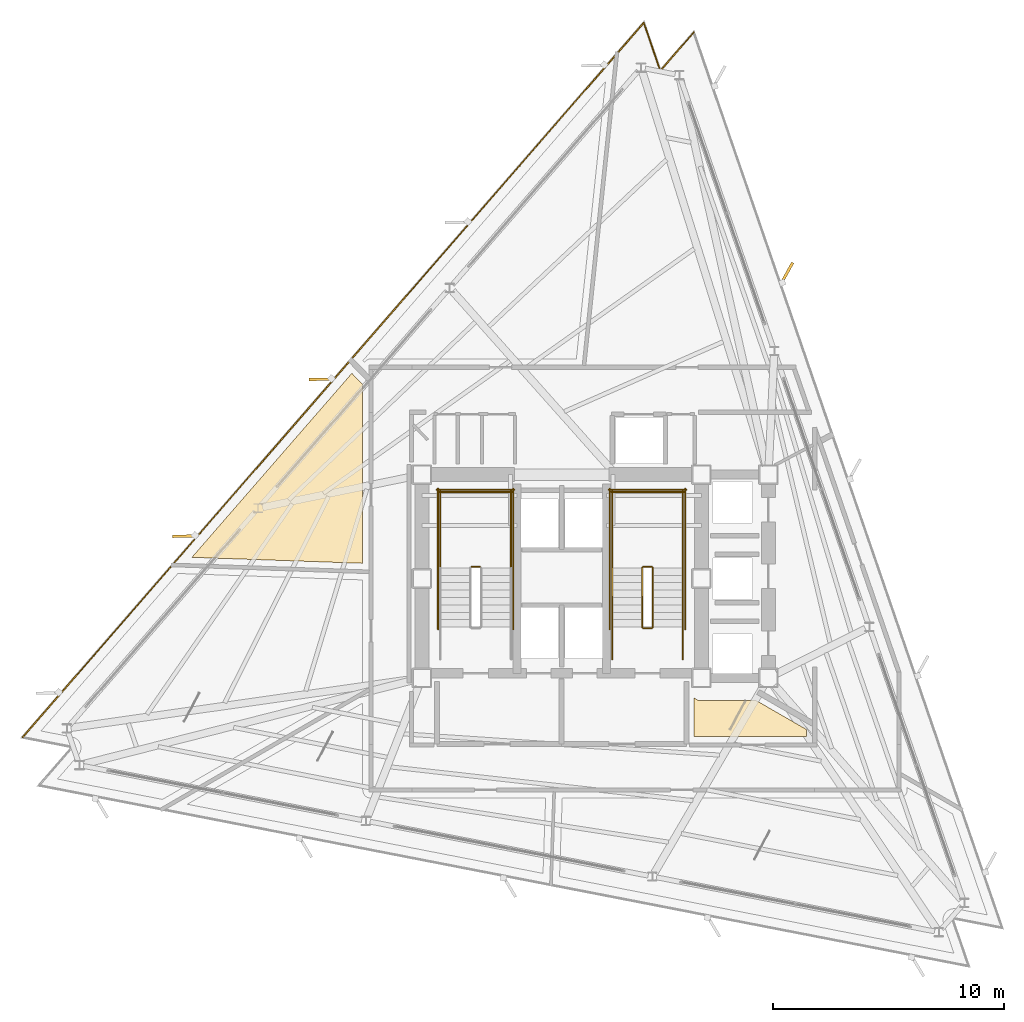
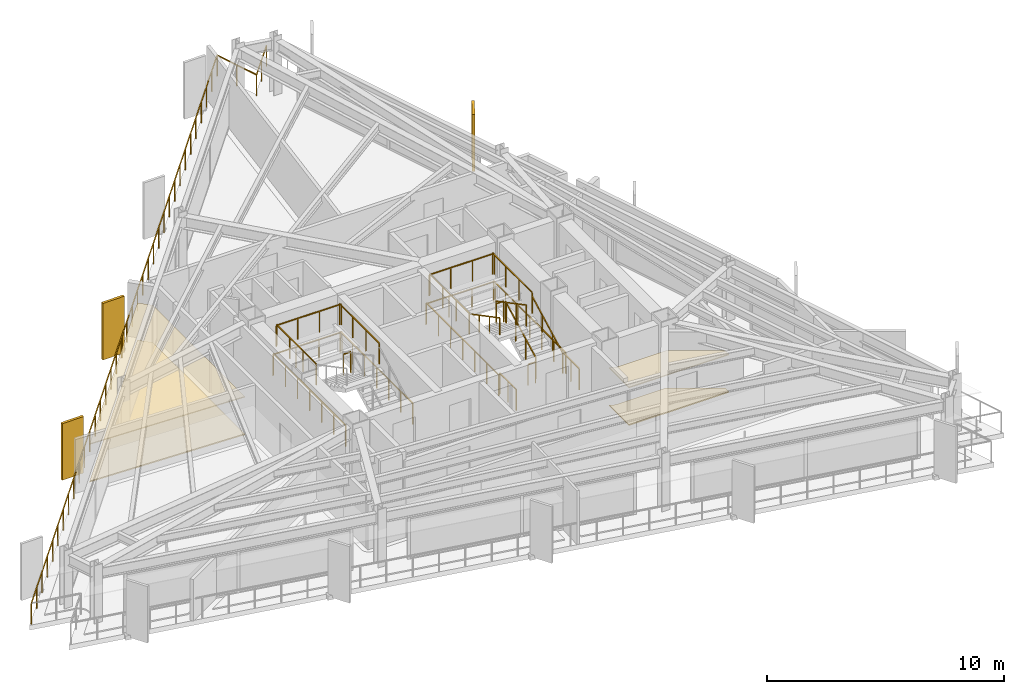
# One storey, part 12 of 13: 22 railings, 4 coverings, 3 shading devices.
"""IFC4 building model written with IfcOpenShell, lengths in metres."""

from ifc_helpers import new_model, si_unit, direction, frame, origin, origin_2d, place, context, subcontext, project, spatial, polyline, rectangle, outline, extrude, material, layer, layer_set, type_object, element, save


model = new_model("IFC4")

# Units and contexts
model_context = context("Model", 3, precision=1e-05, world=origin(), true_north=direction((0.0, 1.0)))
body_context = subcontext(model_context, "Body", "Model", "MODEL_VIEW")
ifc_project = project(units=[si_unit("LENGTHUNIT", "METRE"), si_unit("AREAUNIT", "SQUARE_METRE"), si_unit("VOLUMEUNIT", "CUBIC_METRE"), si_unit("PLANEANGLEUNIT", "RADIAN"), si_unit("MASSUNIT", "GRAM", prefix="KILO")], contexts=[model_context])

# Site, building, storey
site_placement = place(None, origin())
site = spatial("IfcSite", under=ifc_project, at=site_placement, CompositionType="ELEMENT")
building_placement = place(site_placement, origin())
building = spatial("IfcBuilding", under=site, at=building_placement, Name="Rocaltana Carrier Exchange", CompositionType="ELEMENT")
storey_placement = place(building_placement, frame((0.0, 0.0, 165.43994140625)))
storey = spatial("IfcBuildingStorey", under=building, at=storey_placement, Name="L52", CompositionType="ELEMENT", Elevation=165.43994140625)

# Coverings
ifc_material_1 = material(Name="Calcium Sulphate & Aluminium Pedestal", Category="aluminium")
ifc_layer_1 = layer(ifc_material_1, 0.06005859375)
ifc_layer_set_1 = layer_set([ifc_layer_1], Name="Calcium Sulphate & Aluminium Pedestal")
covering_type_1 = type_object("IfcCoveringType", Name="Anti-Static Raised Exchange Access Floor 60", PredefinedType="FLOORING", material=ifc_layer_set_1)
covering_1_placement = place(storey_placement, origin())
element("IfcCovering", 1, at=covering_1_placement, inside=storey, type_object=covering_type_1, Name="L52 Optical Switching Laboratory Finish Floor", PredefinedType="FLOORING", context=body_context, shape_type="SweptSolid", body=[
    extrude(outline(polyline([(5.739990234375, -6.840087890625), (5.739990234375, -5.161865234375), (5.748779296875, -5.170654296875), (5.760498046875, -5.18115234375), (5.78173828125, -5.198486328125), (5.794189453125, -5.2080078125), (5.817138671875, -5.22314453125), (5.83056640625, -5.231201171875), (5.85498046875, -5.244140625), (5.869140625, -5.2509765625), (5.894287109375, -5.261474609375), (5.9091796875, -5.2666015625), (5.935546875, -5.274658203125), (5.95068359375, -5.278564453125), (5.977783203125, -5.283935546875), (5.9931640625, -5.2861328125), (6.0205078125, -5.288818359375), (6.036376953125, -5.289794921875), (6.050048828125, -5.2900390625), (8.4423828125, -5.2900390625), (10.60009765625, -6.53564453125), (10.60009765625, -6.840087890625), (5.739990234375, -6.840087890625)])), origin(), (0.0, 0.0, 1.0), 0.06005859375),
])
covering_2_placement = place(storey_placement, origin())
element("IfcCovering", 2, at=covering_2_placement, inside=storey, type_object=covering_type_1, Name="L52 Quiet Focus Lounge Finish Floor", PredefinedType="FLOORING", context=body_context, shape_type="SweptSolid", body=[
    extrude(outline(polyline([(-9.08154296875, 8.885986328125), (-8.610107421875, 8.397705078125), (-8.610107421875, 0.660888671875), (-16.0068359375, 0.919189453125), (-9.08154296875, 8.885986328125)])), origin(), (0.0, 0.0, 1.0), 0.06005859375),
])
ifc_material_2 = material(Name="Mineral Fibre & Powder-Coated Aluminium", Category="aluminium")
ifc_layer_2 = layer(ifc_material_2, 0.044921875)
ifc_layer_set_2 = layer_set([ifc_layer_2], Name="Mineral Fibre & Powder-Coated Aluminium")
covering_type_2 = type_object("IfcCoveringType", Name="Micro-Perforated Acoustic Ceiling 45", PredefinedType="CEILING", material=ifc_layer_set_2)
covering_3_placement = place(storey_placement, frame((0.0, 0.0, 1.93310546875)))
element("IfcCovering", 3, at=covering_3_placement, inside=storey, type_object=covering_type_2, Name="L52 Optical Switching Laboratory Acoustic Ceiling", PredefinedType="CEILING", context=body_context, shape_type="SweptSolid", body=[
    extrude(outline(polyline([(5.739990234375, -6.840087890625), (5.739990234375, -5.161865234375), (5.748779296875, -5.170654296875), (5.760498046875, -5.18115234375), (5.78173828125, -5.198486328125), (5.794189453125, -5.2080078125), (5.817138671875, -5.22314453125), (5.83056640625, -5.231201171875), (5.85498046875, -5.244140625), (5.869140625, -5.2509765625), (5.894287109375, -5.261474609375), (5.9091796875, -5.2666015625), (5.935546875, -5.274658203125), (5.95068359375, -5.278564453125), (5.977783203125, -5.283935546875), (5.9931640625, -5.2861328125), (6.0205078125, -5.288818359375), (6.036376953125, -5.289794921875), (6.050048828125, -5.2900390625), (8.4423828125, -5.2900390625), (10.60009765625, -6.53564453125), (10.60009765625, -6.840087890625), (5.739990234375, -6.840087890625)])), origin(), (0.0, 0.0, 1.0), 0.044921875),
])
covering_4_placement = place(storey_placement, frame((0.0, 0.0, 1.93310546875)))
element("IfcCovering", 4, at=covering_4_placement, inside=storey, type_object=covering_type_2, Name="L52 Quiet Focus Lounge Acoustic Ceiling", PredefinedType="CEILING", context=body_context, shape_type="SweptSolid", body=[
    extrude(outline(polyline([(-9.08154296875, 8.885986328125), (-8.610107421875, 8.397705078125), (-8.610107421875, 0.660888671875), (-16.0068359375, 0.919189453125), (-9.08154296875, 8.885986328125)])), origin(), (0.0, 0.0, 1.0), 0.044921875),
])

# Railings
ifc_material_3 = material(Name="Brushed Architectural Stainless Tube", Category="steel")
ifc_layer_3 = layer(ifc_material_3, 0.048095703125)
ifc_layer_set_3 = layer_set([ifc_layer_3], Name="Brushed Architectural Stainless Tube")
railing_type_1 = type_object("IfcRailingType", Name="Stair Wall Handrail 920", PredefinedType="HANDRAIL", material=ifc_layer_set_3)
railing_1_placement = place(storey_placement, frame((5.25, -2.10009765625, 0.1689453125)))
element("IfcRailing", 5, at=railing_1_placement, inside=storey, type_object=railing_type_1, Name="L52 ST-2 stair handrail 1", PredefinedType="HANDRAIL", context=body_context, shape_type="SweptSolid", body=[
    extrude(rectangle(XDim=0.048095703125, YDim=0.048095703125, at=origin_2d()), frame((0.0, 0.0, 0.8759765625), z_axis=(0.0, 0.884394423565, 0.466740295633), x_axis=(-1.0, 0.0, 0.0)), (0.0, 0.0, 1.0), 2.894775390625),
    extrude(rectangle(XDim=0.0419921875, YDim=0.0419921875, at=origin_2d()), origin(), (0.0, 0.0, 1.0), 0.851806640625),
    extrude(rectangle(XDim=0.0419921875, YDim=0.0419921875, at=origin_2d()), frame((0.0, 0.853271484375, 0.450439453125)), (0.0, 0.0, 1.0), 0.851806640625),
    extrude(rectangle(XDim=0.0419921875, YDim=0.0419921875, at=origin_2d()), frame((0.0, 1.706787109375, 0.900634765625)), (0.0, 0.0, 1.0), 0.851806640625),
    extrude(rectangle(XDim=0.0419921875, YDim=0.0419921875, at=origin_2d()), frame((0.0, 2.56005859375, 1.35107421875)), (0.0, 0.0, 1.0), 0.851806640625),
])
railing_2_placement = place(storey_placement, frame((2.18994140625, 0.4599609375, 1.68896484375)))
element("IfcRailing", 6, at=railing_2_placement, inside=storey, type_object=railing_type_1, Name="L52 ST-2 stair handrail 2", PredefinedType="HANDRAIL", context=body_context, shape_type="SweptSolid", body=[
    extrude(rectangle(XDim=0.048095703125, YDim=0.048095703125, at=origin_2d()), frame((0.0, 0.0, 0.8759765625), z_axis=(0.0, -0.884394423565, 0.466740295633), x_axis=(1.0, 0.0, 0.0)), (0.0, 0.0, 1.0), 2.894775390625),
    extrude(rectangle(XDim=0.0419921875, YDim=0.0419921875, at=origin_2d()), origin(), (0.0, 0.0, 1.0), 0.851806640625),
    extrude(rectangle(XDim=0.0419921875, YDim=0.0419921875, at=origin_2d()), frame((0.0, -0.853271484375, 0.450439453125)), (0.0, 0.0, 1.0), 0.851806640625),
    extrude(rectangle(XDim=0.0419921875, YDim=0.0419921875, at=origin_2d()), frame((0.0, -1.706787109375, 0.900634765625)), (0.0, 0.0, 1.0), 0.851806640625),
    extrude(rectangle(XDim=0.0419921875, YDim=0.0419921875, at=origin_2d()), frame((0.0, -2.56005859375, 1.35107421875)), (0.0, 0.0, 1.0), 0.851806640625),
])
ifc_material_4 = material(Name="Powder-Coated Aluminium 6063-T6", Category="aluminium")
ifc_layer_4 = layer(ifc_material_4, 0.048095703125)
ifc_layer_set_4 = layer_set([ifc_layer_4], Name="Powder-Coated Aluminium 6063-T6")
railing_type_2 = type_object("IfcRailingType", Name="Stair Well Guardrail 1100", PredefinedType="GUARDRAIL", material=ifc_layer_set_4)
railing_3_placement = place(storey_placement, frame((-3.5400390625, 0.510009765625, 1.52001953125)))
element("IfcRailing", 7, at=railing_3_placement, inside=storey, type_object=railing_type_2, Name="L52 ST-1 stair guard 2", PredefinedType="GUARDRAIL", context=body_context, shape_type="SweptSolid", body=[
    extrude(rectangle(XDim=0.048095703125, YDim=0.048095703125, at=origin_2d()), frame((0.0, 0.0, 1.076171875), z_axis=(-1.0, 0.0, 0.0), x_axis=(0.0, -1.0, 0.0)), (0.0, 0.0, 1.0), 0.35986328125),
    extrude(rectangle(XDim=0.0419921875, YDim=0.0419921875, at=origin_2d()), origin(), (0.0, 0.0, 1.0), 1.052001953125),
    extrude(rectangle(XDim=0.0419921875, YDim=0.0419921875, at=origin_2d()), frame((-0.35986328125, 0.0, 0.0)), (0.0, 0.0, 1.0), 1.052001953125),
])
for number, where, name in (
    (8, (-2.18994140625, 0.4599609375, 1.52001953125), "L52 ST-1 stair guard 3"),
    (9, (-5.25, 0.4599609375, 1.52001953125), "L52 ST-1 stair guard 4"),
):
    element("IfcRailing", number, at=place(storey_placement, frame(where)), inside=storey, type_object=railing_type_2, Name=name, PredefinedType="GUARDRAIL", context=body_context, shape_type="SweptSolid", body=[
        extrude(rectangle(XDim=0.048095703125, YDim=0.048095703125, at=origin_2d()), frame((0.0, 0.0, 1.076171875), z_axis=(0.0, 1.0, 0.0), x_axis=(-1.0, 0.0, 0.0)), (0.0, 0.0, 1.0), 3.340087890625),
        extrude(rectangle(XDim=0.0419921875, YDim=0.0419921875, at=origin_2d()), origin(), (0.0, 0.0, 1.0), 1.052001953125),
        extrude(rectangle(XDim=0.0419921875, YDim=0.0419921875, at=origin_2d()), frame((0.0, 1.11328125, 0.0)), (0.0, 0.0, 1.0), 1.052001953125),
        extrude(rectangle(XDim=0.0419921875, YDim=0.0419921875, at=origin_2d()), frame((0.0, 2.226806640625, 0.0)), (0.0, 0.0, 1.0), 1.052001953125),
        extrude(rectangle(XDim=0.0419921875, YDim=0.0419921875, at=origin_2d()), frame((0.0, 3.340087890625, 0.0)), (0.0, 0.0, 1.0), 1.052001953125),
    ])
railing_4_placement = place(storey_placement, frame((-2.139892578125, 3.75, 1.52001953125)))
element("IfcRailing", 10, at=railing_4_placement, inside=storey, type_object=railing_type_2, Name="L52 ST-1 stair guard 5", PredefinedType="GUARDRAIL", context=body_context, shape_type="SweptSolid", body=[
    extrude(rectangle(XDim=0.048095703125, YDim=0.048095703125, at=origin_2d()), frame((0.0, 0.0, 1.076171875), z_axis=(-1.0, 0.0, 0.0), x_axis=(0.0, -1.0, 0.0)), (0.0, 0.0, 1.0), 3.16015625),
    extrude(rectangle(XDim=0.0419921875, YDim=0.0419921875, at=origin_2d()), origin(), (0.0, 0.0, 1.0), 1.052001953125),
    extrude(rectangle(XDim=0.0419921875, YDim=0.0419921875, at=origin_2d()), frame((-1.053466796875, 0.0, 0.0)), (0.0, 0.0, 1.0), 1.052001953125),
    extrude(rectangle(XDim=0.0419921875, YDim=0.0419921875, at=origin_2d()), frame((-2.106689453125, 0.0, 0.0)), (0.0, 0.0, 1.0), 1.052001953125),
    extrude(rectangle(XDim=0.0419921875, YDim=0.0419921875, at=origin_2d()), frame((-3.16015625, 0.0, 0.0)), (0.0, 0.0, 1.0), 1.052001953125),
])
for number, where, name in (
    (11, (-2.090087890625, -2.199951171875, 0.0), "L52 ST-1 stair guard 10"),
    (12, (-5.35009765625, -2.199951171875, 0.0), "L52 ST-1 stair guard 11"),
):
    element("IfcRailing", number, at=place(storey_placement, frame(where)), inside=storey, type_object=railing_type_2, Name=name, PredefinedType="GUARDRAIL", context=body_context, shape_type="SweptSolid", body=[
        extrude(rectangle(XDim=0.048095703125, YDim=0.048095703125, at=origin_2d()), frame((0.0, 0.0, 1.076171875), z_axis=(0.0, 1.0, 0.0), x_axis=(-1.0, 0.0, 0.0)), (0.0, 0.0, 1.0), 6.099853515625),
        extrude(rectangle(XDim=0.0419921875, YDim=0.0419921875, at=origin_2d()), origin(), (0.0, 0.0, 1.0), 1.052001953125),
        extrude(rectangle(XDim=0.0419921875, YDim=0.0419921875, at=origin_2d()), frame((0.0, 1.0166015625, 0.0)), (0.0, 0.0, 1.0), 1.052001953125),
        extrude(rectangle(XDim=0.0419921875, YDim=0.0419921875, at=origin_2d()), frame((0.0, 2.033203125, 0.0)), (0.0, 0.0, 1.0), 1.052001953125),
        extrude(rectangle(XDim=0.0419921875, YDim=0.0419921875, at=origin_2d()), frame((0.0, 3.0498046875, 0.0)), (0.0, 0.0, 1.0), 1.052001953125),
        extrude(rectangle(XDim=0.0419921875, YDim=0.0419921875, at=origin_2d()), frame((0.0, 4.066650390625, 0.0)), (0.0, 0.0, 1.0), 1.052001953125),
        extrude(rectangle(XDim=0.0419921875, YDim=0.0419921875, at=origin_2d()), frame((0.0, 5.083251953125, 0.0)), (0.0, 0.0, 1.0), 1.052001953125),
        extrude(rectangle(XDim=0.0419921875, YDim=0.0419921875, at=origin_2d()), frame((0.0, 6.099853515625, 0.0)), (0.0, 0.0, 1.0), 1.052001953125),
    ])
railing_5_placement = place(storey_placement, frame((-2.0400390625, 3.85009765625, 0.0)))
element("IfcRailing", 13, at=railing_5_placement, inside=storey, type_object=railing_type_2, Name="L52 ST-1 stair guard 12", PredefinedType="GUARDRAIL", context=body_context, shape_type="SweptSolid", body=[
    extrude(rectangle(XDim=0.048095703125, YDim=0.048095703125, at=origin_2d()), frame((0.0, 0.0, 1.076171875), z_axis=(-1.0, 0.0, 0.0), x_axis=(0.0, -1.0, 0.0)), (0.0, 0.0, 1.0), 3.35986328125),
    extrude(rectangle(XDim=0.0419921875, YDim=0.0419921875, at=origin_2d()), origin(), (0.0, 0.0, 1.0), 1.052001953125),
    extrude(rectangle(XDim=0.0419921875, YDim=0.0419921875, at=origin_2d()), frame((-1.119873046875, 0.0, 0.0)), (0.0, 0.0, 1.0), 1.052001953125),
    extrude(rectangle(XDim=0.0419921875, YDim=0.0419921875, at=origin_2d()), frame((-2.239990234375, 0.0, 0.0)), (0.0, 0.0, 1.0), 1.052001953125),
    extrude(rectangle(XDim=0.0419921875, YDim=0.0419921875, at=origin_2d()), frame((-3.35986328125, 0.0, 0.0)), (0.0, 0.0, 1.0), 1.052001953125),
])
railing_6_placement = place(storey_placement, frame((3.949951171875, -2.10009765625, 0.1689453125)))
element("IfcRailing", 14, at=railing_6_placement, inside=storey, type_object=railing_type_2, Name="L52 ST-2 stair guard 1", PredefinedType="GUARDRAIL", context=body_context, shape_type="SweptSolid", body=[
    extrude(rectangle(XDim=0.048095703125, YDim=0.048095703125, at=origin_2d()), frame((0.0, 0.0, 1.076171875), z_axis=(0.0, 0.884394423565, 0.466740295633), x_axis=(-1.0, 0.0, 0.0)), (0.0, 0.0, 1.0), 2.894775390625),
    extrude(rectangle(XDim=0.0419921875, YDim=0.0419921875, at=origin_2d()), origin(), (0.0, 0.0, 1.0), 1.052001953125),
    extrude(rectangle(XDim=0.0419921875, YDim=0.0419921875, at=origin_2d()), frame((0.0, 0.853271484375, 0.450439453125)), (0.0, 0.0, 1.0), 1.052001953125),
    extrude(rectangle(XDim=0.0419921875, YDim=0.0419921875, at=origin_2d()), frame((0.0, 1.706787109375, 0.900634765625)), (0.0, 0.0, 1.0), 1.052001953125),
    extrude(rectangle(XDim=0.0419921875, YDim=0.0419921875, at=origin_2d()), frame((0.0, 2.56005859375, 1.35107421875)), (0.0, 0.0, 1.0), 1.052001953125),
])
railing_7_placement = place(storey_placement, frame((3.89990234375, 0.510009765625, 1.52001953125)))
element("IfcRailing", 15, at=railing_7_placement, inside=storey, type_object=railing_type_2, Name="L52 ST-2 stair guard 2", PredefinedType="GUARDRAIL", context=body_context, shape_type="SweptSolid", body=[
    extrude(rectangle(XDim=0.048095703125, YDim=0.048095703125, at=origin_2d()), frame((0.0, 0.0, 1.076171875), z_axis=(-1.0, 0.0, 0.0), x_axis=(0.0, -1.0, 0.0)), (0.0, 0.0, 1.0), 0.35986328125),
    extrude(rectangle(XDim=0.0419921875, YDim=0.0419921875, at=origin_2d()), origin(), (0.0, 0.0, 1.0), 1.052001953125),
    extrude(rectangle(XDim=0.0419921875, YDim=0.0419921875, at=origin_2d()), frame((-0.35986328125, 0.0, 0.0)), (0.0, 0.0, 1.0), 1.052001953125),
])
for number, where, name in (
    (16, (5.25, 0.4599609375, 1.52001953125), "L52 ST-2 stair guard 3"),
    (17, (2.18994140625, 0.4599609375, 1.52001953125), "L52 ST-2 stair guard 4"),
):
    element("IfcRailing", number, at=place(storey_placement, frame(where)), inside=storey, type_object=railing_type_2, Name=name, PredefinedType="GUARDRAIL", context=body_context, shape_type="SweptSolid", body=[
        extrude(rectangle(XDim=0.048095703125, YDim=0.048095703125, at=origin_2d()), frame((0.0, 0.0, 1.076171875), z_axis=(0.0, 1.0, 0.0), x_axis=(-1.0, 0.0, 0.0)), (0.0, 0.0, 1.0), 3.340087890625),
        extrude(rectangle(XDim=0.0419921875, YDim=0.0419921875, at=origin_2d()), origin(), (0.0, 0.0, 1.0), 1.052001953125),
        extrude(rectangle(XDim=0.0419921875, YDim=0.0419921875, at=origin_2d()), frame((0.0, 1.11328125, 0.0)), (0.0, 0.0, 1.0), 1.052001953125),
        extrude(rectangle(XDim=0.0419921875, YDim=0.0419921875, at=origin_2d()), frame((0.0, 2.226806640625, 0.0)), (0.0, 0.0, 1.0), 1.052001953125),
        extrude(rectangle(XDim=0.0419921875, YDim=0.0419921875, at=origin_2d()), frame((0.0, 3.340087890625, 0.0)), (0.0, 0.0, 1.0), 1.052001953125),
    ])
railing_8_placement = place(storey_placement, frame((5.300048828125, 3.75, 1.52001953125)))
element("IfcRailing", 18, at=railing_8_placement, inside=storey, type_object=railing_type_2, Name="L52 ST-2 stair guard 5", PredefinedType="GUARDRAIL", context=body_context, shape_type="SweptSolid", body=[
    extrude(rectangle(XDim=0.048095703125, YDim=0.048095703125, at=origin_2d()), frame((0.0, 0.0, 1.076171875), z_axis=(-1.0, 0.0, 0.0), x_axis=(0.0, -1.0, 0.0)), (0.0, 0.0, 1.0), 3.16015625),
    extrude(rectangle(XDim=0.0419921875, YDim=0.0419921875, at=origin_2d()), origin(), (0.0, 0.0, 1.0), 1.052001953125),
    extrude(rectangle(XDim=0.0419921875, YDim=0.0419921875, at=origin_2d()), frame((-1.053466796875, 0.0, 0.0)), (0.0, 0.0, 1.0), 1.052001953125),
    extrude(rectangle(XDim=0.0419921875, YDim=0.0419921875, at=origin_2d()), frame((-2.106689453125, 0.0, 0.0)), (0.0, 0.0, 1.0), 1.052001953125),
    extrude(rectangle(XDim=0.0419921875, YDim=0.0419921875, at=origin_2d()), frame((-3.16015625, 0.0, 0.0)), (0.0, 0.0, 1.0), 1.052001953125),
])
railing_9_placement = place(storey_placement, frame((3.489990234375, 0.4599609375, 1.68896484375)))
element("IfcRailing", 19, at=railing_9_placement, inside=storey, type_object=railing_type_2, Name="L52 ST-2 stair guard 6", PredefinedType="GUARDRAIL", context=body_context, shape_type="SweptSolid", body=[
    extrude(rectangle(XDim=0.048095703125, YDim=0.048095703125, at=origin_2d()), frame((0.0, 0.0, 1.076171875), z_axis=(0.0, -0.884394423565, 0.466740295633), x_axis=(1.0, 0.0, 0.0)), (0.0, 0.0, 1.0), 2.894775390625),
    extrude(rectangle(XDim=0.0419921875, YDim=0.0419921875, at=origin_2d()), origin(), (0.0, 0.0, 1.0), 1.052001953125),
    extrude(rectangle(XDim=0.0419921875, YDim=0.0419921875, at=origin_2d()), frame((0.0, -0.853271484375, 0.450439453125)), (0.0, 0.0, 1.0), 1.052001953125),
    extrude(rectangle(XDim=0.0419921875, YDim=0.0419921875, at=origin_2d()), frame((0.0, -1.706787109375, 0.900634765625)), (0.0, 0.0, 1.0), 1.052001953125),
    extrude(rectangle(XDim=0.0419921875, YDim=0.0419921875, at=origin_2d()), frame((0.0, -2.56005859375, 1.35107421875)), (0.0, 0.0, 1.0), 1.052001953125),
])
railing_10_placement = place(storey_placement, frame((3.89990234375, -2.14990234375, 0.0)))
element("IfcRailing", 20, at=railing_10_placement, inside=storey, type_object=railing_type_2, Name="L52 ST-2 stair guard 7", PredefinedType="GUARDRAIL", context=body_context, shape_type="SweptSolid", body=[
    extrude(rectangle(XDim=0.048095703125, YDim=0.048095703125, at=origin_2d()), frame((0.0, 0.0, 1.076171875), z_axis=(-1.0, 0.0, 0.0), x_axis=(0.0, -1.0, 0.0)), (0.0, 0.0, 1.0), 0.35986328125),
    extrude(rectangle(XDim=0.0419921875, YDim=0.0419921875, at=origin_2d()), origin(), (0.0, 0.0, 1.0), 1.052001953125),
    extrude(rectangle(XDim=0.0419921875, YDim=0.0419921875, at=origin_2d()), frame((-0.35986328125, 0.0, 0.0)), (0.0, 0.0, 1.0), 1.052001953125),
])
for number, where, name in (
    (21, (5.25, -3.5, 0.0), "L52 ST-2 stair guard 8"),
    (22, (2.18994140625, -3.5, 0.0), "L52 ST-2 stair guard 9"),
):
    element("IfcRailing", number, at=place(storey_placement, frame(where)), inside=storey, type_object=railing_type_2, Name=name, PredefinedType="GUARDRAIL", context=body_context, shape_type="SweptSolid", body=[
        extrude(rectangle(XDim=0.048095703125, YDim=0.048095703125, at=origin_2d()), frame((0.0, 0.0, 1.076171875), z_axis=(0.0, 1.0, 0.0), x_axis=(-1.0, 0.0, 0.0)), (0.0, 0.0, 1.0), 1.39990234375),
        extrude(rectangle(XDim=0.0419921875, YDim=0.0419921875, at=origin_2d()), origin(), (0.0, 0.0, 1.0), 1.052001953125),
        extrude(rectangle(XDim=0.0419921875, YDim=0.0419921875, at=origin_2d()), frame((0.0, 0.699951171875, 0.0)), (0.0, 0.0, 1.0), 1.052001953125),
        extrude(rectangle(XDim=0.0419921875, YDim=0.0419921875, at=origin_2d()), frame((0.0, 1.39990234375, 0.0)), (0.0, 0.0, 1.0), 1.052001953125),
    ])
for number, where, name in (
    (23, (5.35009765625, -2.199951171875, 0.0), "L52 ST-2 stair guard 10"),
    (24, (2.090087890625, -2.199951171875, 0.0), "L52 ST-2 stair guard 11"),
):
    element("IfcRailing", number, at=place(storey_placement, frame(where)), inside=storey, type_object=railing_type_2, Name=name, PredefinedType="GUARDRAIL", context=body_context, shape_type="SweptSolid", body=[
        extrude(rectangle(XDim=0.048095703125, YDim=0.048095703125, at=origin_2d()), frame((0.0, 0.0, 1.076171875), z_axis=(0.0, 1.0, 0.0), x_axis=(-1.0, 0.0, 0.0)), (0.0, 0.0, 1.0), 6.099853515625),
        extrude(rectangle(XDim=0.0419921875, YDim=0.0419921875, at=origin_2d()), origin(), (0.0, 0.0, 1.0), 1.052001953125),
        extrude(rectangle(XDim=0.0419921875, YDim=0.0419921875, at=origin_2d()), frame((0.0, 1.0166015625, 0.0)), (0.0, 0.0, 1.0), 1.052001953125),
        extrude(rectangle(XDim=0.0419921875, YDim=0.0419921875, at=origin_2d()), frame((0.0, 2.033203125, 0.0)), (0.0, 0.0, 1.0), 1.052001953125),
        extrude(rectangle(XDim=0.0419921875, YDim=0.0419921875, at=origin_2d()), frame((0.0, 3.0498046875, 0.0)), (0.0, 0.0, 1.0), 1.052001953125),
        extrude(rectangle(XDim=0.0419921875, YDim=0.0419921875, at=origin_2d()), frame((0.0, 4.066650390625, 0.0)), (0.0, 0.0, 1.0), 1.052001953125),
        extrude(rectangle(XDim=0.0419921875, YDim=0.0419921875, at=origin_2d()), frame((0.0, 5.083251953125, 0.0)), (0.0, 0.0, 1.0), 1.052001953125),
        extrude(rectangle(XDim=0.0419921875, YDim=0.0419921875, at=origin_2d()), frame((0.0, 6.099853515625, 0.0)), (0.0, 0.0, 1.0), 1.052001953125),
    ])
railing_11_placement = place(storey_placement, frame((5.39990234375, 3.85009765625, 0.0)))
element("IfcRailing", 25, at=railing_11_placement, inside=storey, type_object=railing_type_2, Name="L52 ST-2 stair guard 12", PredefinedType="GUARDRAIL", context=body_context, shape_type="SweptSolid", body=[
    extrude(rectangle(XDim=0.048095703125, YDim=0.048095703125, at=origin_2d()), frame((0.0, 0.0, 1.076171875), z_axis=(-1.0, 0.0, 0.0), x_axis=(0.0, -1.0, 0.0)), (0.0, 0.0, 1.0), 3.35986328125),
    extrude(rectangle(XDim=0.0419921875, YDim=0.0419921875, at=origin_2d()), origin(), (0.0, 0.0, 1.0), 1.052001953125),
    extrude(rectangle(XDim=0.0419921875, YDim=0.0419921875, at=origin_2d()), frame((-1.119873046875, 0.0, 0.0)), (0.0, 0.0, 1.0), 1.052001953125),
    extrude(rectangle(XDim=0.0419921875, YDim=0.0419921875, at=origin_2d()), frame((-2.239990234375, 0.0, 0.0)), (0.0, 0.0, 1.0), 1.052001953125),
    extrude(rectangle(XDim=0.0419921875, YDim=0.0419921875, at=origin_2d()), frame((-3.35986328125, 0.0, 0.0)), (0.0, 0.0, 1.0), 1.052001953125),
])

# Shading devices
ifc_material_5 = material(Name="Honed Bogota Sandstone & Concrete C45/55", Category="masonry")
ifc_layer_5 = layer(ifc_material_5, 0.1201171875)
ifc_layer_set_5 = layer_set([ifc_layer_5], Name="Honed Bogota Sandstone & Concrete C45/55")
shading_device_type = type_object("IfcShadingDeviceType", Name="Upper Sandstone Shading Fin 1050x120", PredefinedType="USERDEFINED", material=ifc_layer_set_5)
for number, where, z_axis, x_axis, name in (
    (26, (9.75146484375, 13.219482421875, -0.1201171875), (0.0, 0.0, 1.0), (0.484809620246, 0.874619707139, 0.0), "L52 Sandstone Vertical Fin F1-04"),
    (27, (-10.419677734375, 8.627685546875, -0.1201171875), (0.0, 0.0, 1.0), (-0.999847695156, -0.017452406437, 0.0), "L52 Sandstone Vertical Fin F2-03"),
    (28, (-16.32421875, 1.835205078125, -0.1201171875), (0.0, 0.0, 1.0), (-0.999847695156, -0.017452406437, 0.0), "L52 Sandstone Vertical Fin F2-04"),
):
    element("IfcShadingDevice", number, at=place(storey_placement, frame(where, z_axis=z_axis, x_axis=x_axis)), inside=storey, type_object=shading_device_type, Name=name, ObjectType="FIN", PredefinedType="USERDEFINED", context=body_context, shape_type="SweptSolid", body=[
        extrude(rectangle(XDim=1.050048828125, YDim=0.1201171875, at=origin_2d()), origin(), (0.0, 0.0, 1.0), 2.907958984375),
    ])

# Railing
ifc_material_6 = material(Name="Powder-Coated Aluminium 6063-T6", Category="aluminium")
ifc_layer_6 = layer(ifc_material_6, 0.06005859375)
ifc_layer_set_6 = layer_set([ifc_layer_6], Name="Powder-Coated Aluminium 6063-T6")
railing_type_3 = type_object("IfcRailingType", Name="Wind-Floor & Terrace Perimeter Guardrail 1100", PredefinedType="GUARDRAIL", material=ifc_layer_set_6)
railing_12_placement = place(storey_placement, frame((-23.3359375, -6.871826171875, 0.0)))
element("IfcRailing", 29, at=railing_12_placement, inside=storey, type_object=railing_type_3, Name="L52 Perimeter Balcony Guardrail 2", PredefinedType="GUARDRAIL", context=body_context, shape_type="SweptSolid", body=[
    extrude(rectangle(XDim=0.048095703125, YDim=0.048095703125, at=origin_2d()), frame((0.0, 0.0, 1.076171875), z_axis=(0.656058089841, 0.754710396612, 0.0), x_axis=(-0.754710396612, 0.656058089841, 0.0)), (0.0, 0.0, 1.0), 40.991943359375),
    extrude(rectangle(XDim=0.048095703125, YDim=0.048095703125, at=origin_2d()), frame((26.89306640625, 30.93701171875, 1.076171875), z_axis=(0.325600768791, -0.945507344955, 0.0), x_axis=(0.945507344955, 0.325600768791, 0.0)), (0.0, 0.0, 1.0), 2.199951171875),
    extrude(rectangle(XDim=0.048095703125, YDim=0.048095703125, at=origin_2d()), frame((27.609375, 28.85693359375, 1.076171875), z_axis=(0.656057821484, 0.75471062989, 0.0), x_axis=(-0.75471062989, 0.656057821484, 0.0)), (0.0, 0.0, 1.0), 2.199951171875),
    extrude(rectangle(XDim=0.0419921875, YDim=0.0419921875, at=origin_2d()), origin(), (0.0, 0.0, 1.0), 1.052001953125),
    extrude(rectangle(XDim=0.0419921875, YDim=0.0419921875, at=origin_2d()), frame((0.768310546875, 0.884033203125, 0.0)), (0.0, 0.0, 1.0), 1.052001953125),
    extrude(rectangle(XDim=0.0419921875, YDim=0.0419921875, at=origin_2d()), frame((1.536865234375, 1.767822265625, 0.0)), (0.0, 0.0, 1.0), 1.052001953125),
    extrude(rectangle(XDim=0.0419921875, YDim=0.0419921875, at=origin_2d()), frame((2.30517578125, 2.65185546875, 0.0)), (0.0, 0.0, 1.0), 1.052001953125),
    extrude(rectangle(XDim=0.0419921875, YDim=0.0419921875, at=origin_2d()), frame((3.073486328125, 3.53564453125, 0.0)), (0.0, 0.0, 1.0), 1.052001953125),
    extrude(rectangle(XDim=0.0419921875, YDim=0.0419921875, at=origin_2d()), frame((3.841796875, 4.419677734375, 0.0)), (0.0, 0.0, 1.0), 1.052001953125),
    extrude(rectangle(XDim=0.0419921875, YDim=0.0419921875, at=origin_2d()), frame((4.6103515625, 5.303466796875, 0.0)), (0.0, 0.0, 1.0), 1.052001953125),
    extrude(rectangle(XDim=0.0419921875, YDim=0.0419921875, at=origin_2d()), frame((5.378662109375, 6.1875, 0.0)), (0.0, 0.0, 1.0), 1.052001953125),
    extrude(rectangle(XDim=0.0419921875, YDim=0.0419921875, at=origin_2d()), frame((6.14697265625, 7.0712890625, 0.0)), (0.0, 0.0, 1.0), 1.052001953125),
    extrude(rectangle(XDim=0.0419921875, YDim=0.0419921875, at=origin_2d()), frame((6.915283203125, 7.955322265625, 0.0)), (0.0, 0.0, 1.0), 1.052001953125),
    extrude(rectangle(XDim=0.0419921875, YDim=0.0419921875, at=origin_2d()), frame((7.683837890625, 8.839111328125, 0.0)), (0.0, 0.0, 1.0), 1.052001953125),
    extrude(rectangle(XDim=0.0419921875, YDim=0.0419921875, at=origin_2d()), frame((8.4521484375, 9.72314453125, 0.0)), (0.0, 0.0, 1.0), 1.052001953125),
    extrude(rectangle(XDim=0.0419921875, YDim=0.0419921875, at=origin_2d()), frame((9.220458984375, 10.60693359375, 0.0)), (0.0, 0.0, 1.0), 1.052001953125),
    extrude(rectangle(XDim=0.0419921875, YDim=0.0419921875, at=origin_2d()), frame((9.98876953125, 11.490966796875, 0.0)), (0.0, 0.0, 1.0), 1.052001953125),
    extrude(rectangle(XDim=0.0419921875, YDim=0.0419921875, at=origin_2d()), frame((10.75732421875, 12.374755859375, 0.0)), (0.0, 0.0, 1.0), 1.052001953125),
    extrude(rectangle(XDim=0.0419921875, YDim=0.0419921875, at=origin_2d()), frame((11.525634765625, 13.2587890625, 0.0)), (0.0, 0.0, 1.0), 1.052001953125),
    extrude(rectangle(XDim=0.0419921875, YDim=0.0419921875, at=origin_2d()), frame((12.2939453125, 14.142578125, 0.0)), (0.0, 0.0, 1.0), 1.052001953125),
    extrude(rectangle(XDim=0.0419921875, YDim=0.0419921875, at=origin_2d()), frame((13.062255859375, 15.026611328125, 0.0)), (0.0, 0.0, 1.0), 1.052001953125),
    extrude(rectangle(XDim=0.0419921875, YDim=0.0419921875, at=origin_2d()), frame((13.830810546875, 15.910400390625, 0.0)), (0.0, 0.0, 1.0), 1.052001953125),
    extrude(rectangle(XDim=0.0419921875, YDim=0.0419921875, at=origin_2d()), frame((14.59912109375, 16.79443359375, 0.0)), (0.0, 0.0, 1.0), 1.052001953125),
    extrude(rectangle(XDim=0.0419921875, YDim=0.0419921875, at=origin_2d()), frame((15.367431640625, 17.67822265625, 0.0)), (0.0, 0.0, 1.0), 1.052001953125),
    extrude(rectangle(XDim=0.0419921875, YDim=0.0419921875, at=origin_2d()), frame((16.1357421875, 18.562255859375, 0.0)), (0.0, 0.0, 1.0), 1.052001953125),
    extrude(rectangle(XDim=0.0419921875, YDim=0.0419921875, at=origin_2d()), frame((16.904296875, 19.446044921875, 0.0)), (0.0, 0.0, 1.0), 1.052001953125),
    extrude(rectangle(XDim=0.0419921875, YDim=0.0419921875, at=origin_2d()), frame((17.672607421875, 20.330078125, 0.0)), (0.0, 0.0, 1.0), 1.052001953125),
    extrude(rectangle(XDim=0.0419921875, YDim=0.0419921875, at=origin_2d()), frame((18.44091796875, 21.2138671875, 0.0)), (0.0, 0.0, 1.0), 1.052001953125),
    extrude(rectangle(XDim=0.0419921875, YDim=0.0419921875, at=origin_2d()), frame((19.209228515625, 22.097900390625, 0.0)), (0.0, 0.0, 1.0), 1.052001953125),
    extrude(rectangle(XDim=0.0419921875, YDim=0.0419921875, at=origin_2d()), frame((19.977783203125, 22.981689453125, 0.0)), (0.0, 0.0, 1.0), 1.052001953125),
    extrude(rectangle(XDim=0.0419921875, YDim=0.0419921875, at=origin_2d()), frame((20.74609375, 23.86572265625, 0.0)), (0.0, 0.0, 1.0), 1.052001953125),
    extrude(rectangle(XDim=0.0419921875, YDim=0.0419921875, at=origin_2d()), frame((21.514404296875, 24.74951171875, 0.0)), (0.0, 0.0, 1.0), 1.052001953125),
    extrude(rectangle(XDim=0.0419921875, YDim=0.0419921875, at=origin_2d()), frame((22.28271484375, 25.633544921875, 0.0)), (0.0, 0.0, 1.0), 1.052001953125),
    extrude(rectangle(XDim=0.0419921875, YDim=0.0419921875, at=origin_2d()), frame((23.05126953125, 26.517333984375, 0.0)), (0.0, 0.0, 1.0), 1.052001953125),
    extrude(rectangle(XDim=0.0419921875, YDim=0.0419921875, at=origin_2d()), frame((23.819580078125, 27.4013671875, 0.0)), (0.0, 0.0, 1.0), 1.052001953125),
    extrude(rectangle(XDim=0.0419921875, YDim=0.0419921875, at=origin_2d()), frame((24.587890625, 28.28515625, 0.0)), (0.0, 0.0, 1.0), 1.052001953125),
    extrude(rectangle(XDim=0.0419921875, YDim=0.0419921875, at=origin_2d()), frame((25.356201171875, 29.169189453125, 0.0)), (0.0, 0.0, 1.0), 1.052001953125),
    extrude(rectangle(XDim=0.0419921875, YDim=0.0419921875, at=origin_2d()), frame((26.124755859375, 30.052978515625, 0.0)), (0.0, 0.0, 1.0), 1.052001953125),
    extrude(rectangle(XDim=0.0419921875, YDim=0.0419921875, at=origin_2d()), frame((26.89306640625, 30.93701171875, 0.0)), (0.0, 0.0, 1.0), 1.052001953125),
    extrude(rectangle(XDim=0.0419921875, YDim=0.0419921875, at=origin_2d()), frame((27.251220703125, 29.89697265625, 0.0)), (0.0, 0.0, 1.0), 1.052001953125),
    extrude(rectangle(XDim=0.0419921875, YDim=0.0419921875, at=origin_2d()), frame((27.609375, 28.85693359375, 0.0)), (0.0, 0.0, 1.0), 1.052001953125),
    extrude(rectangle(XDim=0.0419921875, YDim=0.0419921875, at=origin_2d()), frame((28.3310546875, 29.68701171875, 0.0)), (0.0, 0.0, 1.0), 1.052001953125),
    extrude(rectangle(XDim=0.0419921875, YDim=0.0419921875, at=origin_2d()), frame((29.052734375, 30.517333984375, 0.0)), (0.0, 0.0, 1.0), 1.052001953125),
])

save(model, "model.ifc")
